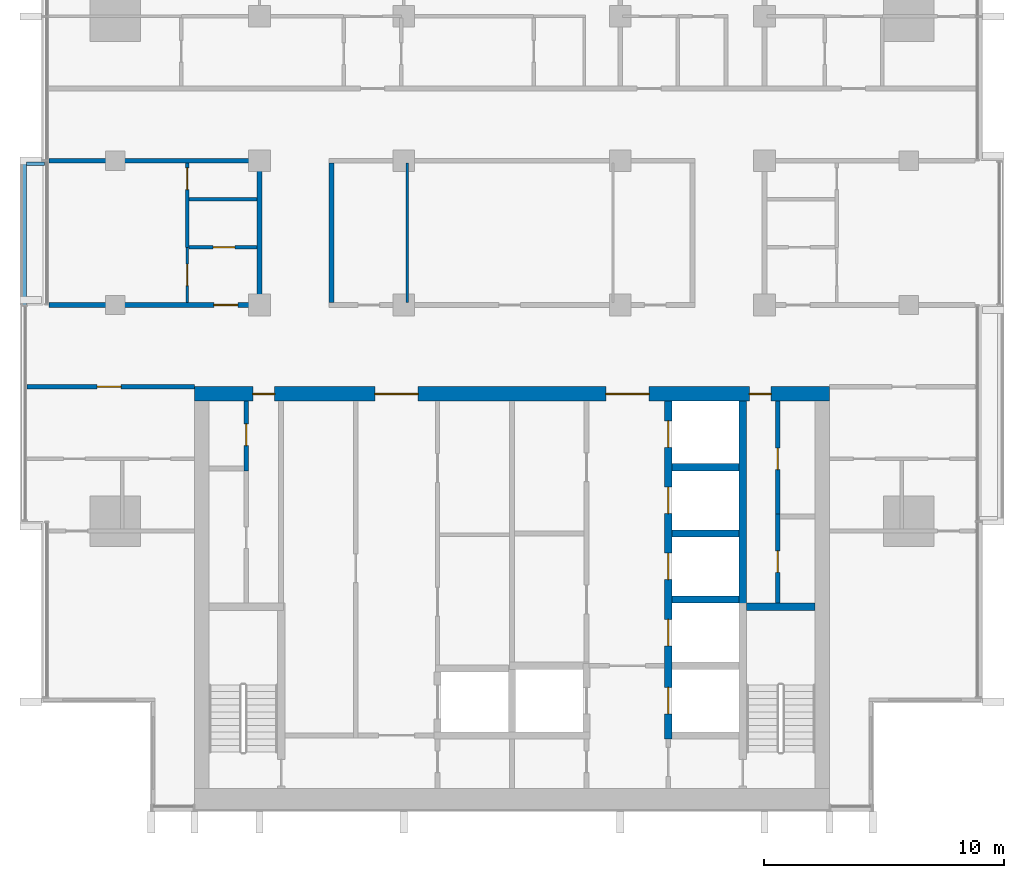
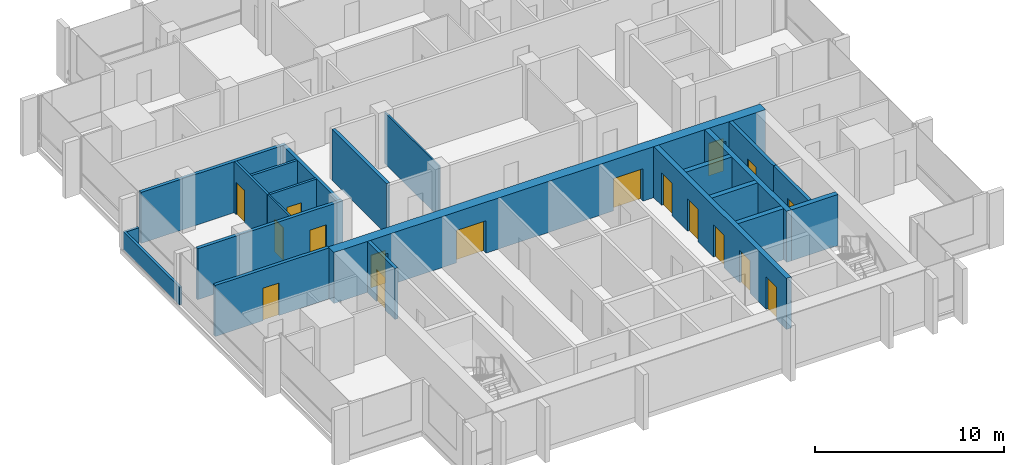
# One storey, part 8 of 16: 22 walls, 17 doors, 17 openings.
"""IFC4 building model written with IfcOpenShell, lengths in metres."""

from ifc_helpers import new_model, si_unit, direction, frame, frame_2d, origin, place, context, subcontext, project, spatial, rectangle, extrude, material, layer, layer_set, type_object, element, fill, save


model = new_model("IFC4")

# Units and contexts
model_context = context("Model", 3, precision=1e-05, world=origin(), true_north=direction((0.0, 1.0)))
body_context = subcontext(model_context, "Body", "Model", "MODEL_VIEW")
ifc_project = project(units=[si_unit("LENGTHUNIT", "METRE"), si_unit("AREAUNIT", "SQUARE_METRE"), si_unit("VOLUMEUNIT", "CUBIC_METRE"), si_unit("PLANEANGLEUNIT", "RADIAN"), si_unit("MASSUNIT", "GRAM", prefix="KILO")], contexts=[model_context])

# Site, building, storey
site_placement = place(None, origin())
site = spatial("IfcSite", under=ifc_project, at=site_placement, CompositionType="ELEMENT")
building_placement = place(site_placement, origin())
building = spatial("IfcBuilding", under=site, at=building_placement, Name="Finial Court Residences", CompositionType="ELEMENT")
storey_placement = place(building_placement, frame((0.0, 0.0, 241.10009765625)))
storey = spatial("IfcBuildingStorey", under=building, at=storey_placement, Name="L61", CompositionType="ELEMENT", Elevation=241.10009765625)

# Wall, openings, doors
ifc_material_1 = material(Name="Concrete C60/75", Category="concrete")
ifc_layer_1 = layer(ifc_material_1, 0.60009765625)
ifc_layer_set_1 = layer_set([ifc_layer_1], Name="Core outer wall 600 Concrete C60/75")
wall_type_1 = type_object("IfcWallType", Name="Core outer wall 600 Concrete C60/75", PredefinedType="SHEAR", material=ifc_layer_set_1)
wall_1_placement = place(storey_placement, frame((-13.199951171875, -8.199951171875, 0.0), z_axis=(0.0, 0.0, 1.0), x_axis=(1.0, 0.0, 0.0)))
wall_1 = element("IfcWall", 1, at=wall_1_placement, inside=storey, type_object=wall_type_1, Name="Core outer wall L61-02", PredefinedType="SHEAR", context=body_context, shape_type="SweptSolid", body=[
    extrude(rectangle(XDim=26.39990234375, YDim=0.60009765625, at=frame_2d((13.199951171875, 0.0))), origin(), (0.0, 0.0, 1.0), 3.2998046875),
])
opening_1_placement = place(wall_1_placement, frame((7.5, 0.0, 0.0)))
opening_1 = element("IfcOpeningElement", 2, at=opening_1_placement, cuts=wall_1, Name="Opening L61-C04", PredefinedType="OPENING", context=body_context, shape_type="SweptSolid", body=[
    extrude(rectangle(XDim=1.800048828125, YDim=2.10009765625, at=frame_2d((0.89990234375, 1.050048828125))), frame((0.0, 0.31005859375, 0.0), z_axis=(0.0, -1.0, 0.0), x_axis=(1.0, 0.0, 0.0)), (0.0, 0.0, 1.0), 0.6201171875),
])
opening_2_placement = place(wall_1_placement, frame((17.10009765625, 0.0, 0.0)))
opening_2 = element("IfcOpeningElement", 3, at=opening_2_placement, cuts=wall_1, Name="Opening L61-C05", PredefinedType="OPENING", context=body_context, shape_type="SweptSolid", body=[
    extrude(rectangle(XDim=1.800048828125, YDim=2.10009765625, at=frame_2d((0.89990234375, 1.050048828125))), frame((0.0, 0.31005859375, 0.0), z_axis=(0.0, -1.0, 0.0), x_axis=(1.0, 0.0, 0.0)), (0.0, 0.0, 1.0), 0.6201171875),
])
opening_3_placement = place(wall_1_placement, frame((2.425048828125, 0.0, 0.0)))
opening_3 = element("IfcOpeningElement", 4, at=opening_3_placement, cuts=wall_1, Name="Opening L61-C12", PredefinedType="OPENING", context=body_context, shape_type="SweptSolid", body=[
    extrude(rectangle(XDim=0.89990234375, YDim=2.10009765625, at=frame_2d((0.449951171875, 1.050048828125))), frame((0.0, 0.31005859375, 0.0), z_axis=(0.0, -1.0, 0.0), x_axis=(1.0, 0.0, 0.0)), (0.0, 0.0, 1.0), 0.6201171875),
])
opening_4_placement = place(wall_1_placement, frame((23.074951171875, 0.0, 0.0)))
opening_4 = element("IfcOpeningElement", 5, at=opening_4_placement, cuts=wall_1, Name="Opening L61-C13", PredefinedType="OPENING", context=body_context, shape_type="SweptSolid", body=[
    extrude(rectangle(XDim=0.89990234375, YDim=2.10009765625, at=frame_2d((0.449951171875, 1.050048828125))), frame((0.0, 0.31005859375, 0.0), z_axis=(0.0, -1.0, 0.0), x_axis=(1.0, 0.0, 0.0)), (0.0, 0.0, 1.0), 0.6201171875),
])
ifc_material_2 = material(Name="Steel fire door", Category="steel")
door_type_1 = type_object("IfcDoorType", Name="Lift lobby door 1800 x 2100 EI 60", OperationType="DOUBLE_DOOR_SINGLE_SWING", PredefinedType="DOOR", material=ifc_material_2)
door_1_placement = place(opening_1_placement, origin())
door_1 = element("IfcDoor", 6, at=door_1_placement, inside=storey, type_object=door_type_1, Name="Lift lobby door L61-C04", OperationType="DOUBLE_DOOR_SINGLE_SWING", OverallHeight=2.10009765625, OverallWidth=1.800048828125, PredefinedType="DOOR", context=body_context, shape_type="SweptSolid", body=[
    extrude(rectangle(XDim=1.800048828125, YDim=2.10009765625, at=frame_2d((0.89990234375, 1.050048828125))), frame((0.0, 0.02490234375, 0.0), z_axis=(0.0, -1.0, 0.0), x_axis=(1.0, 0.0, 0.0)), (0.0, 0.0, 1.0), 0.050048828125),
])
fill(opening_1, door_1)
door_2_placement = place(opening_2_placement, origin())
door_2 = element("IfcDoor", 7, at=door_2_placement, inside=storey, type_object=door_type_1, Name="Lift lobby door L61-C05", OperationType="DOUBLE_DOOR_SINGLE_SWING", OverallHeight=2.10009765625, OverallWidth=1.800048828125, PredefinedType="DOOR", context=body_context, shape_type="SweptSolid", body=[
    extrude(rectangle(XDim=1.800048828125, YDim=2.10009765625, at=frame_2d((0.89990234375, 1.050048828125))), frame((0.0, 0.02490234375, 0.0), z_axis=(0.0, -1.0, 0.0), x_axis=(1.0, 0.0, 0.0)), (0.0, 0.0, 1.0), 0.050048828125),
])
fill(opening_2, door_2)
door_type_2 = type_object("IfcDoorType", Name="Riser room door 900 x 2100 EI 90", OperationType="NOTDEFINED", PredefinedType="DOOR", material=ifc_material_2)
door_3_placement = place(opening_3_placement, origin())
door_3 = element("IfcDoor", 8, at=door_3_placement, inside=storey, type_object=door_type_2, Name="Riser room door L61-C12", OperationType="SINGLE_SWING_RIGHT", OverallHeight=2.10009765625, OverallWidth=0.89990234375, PredefinedType="DOOR", context=body_context, shape_type="SweptSolid", body=[
    extrude(rectangle(XDim=0.89990234375, YDim=2.10009765625, at=frame_2d((0.449951171875, 1.050048828125))), frame((0.0, 0.02490234375, 0.0), z_axis=(0.0, -1.0, 0.0), x_axis=(1.0, 0.0, 0.0)), (0.0, 0.0, 1.0), 0.050048828125),
])
fill(opening_3, door_3)
door_4_placement = place(opening_4_placement, origin())
door_4 = element("IfcDoor", 9, at=door_4_placement, inside=storey, type_object=door_type_2, Name="Riser room door L61-C13", OperationType="SINGLE_SWING_LEFT", OverallHeight=2.10009765625, OverallWidth=0.89990234375, PredefinedType="DOOR", context=body_context, shape_type="SweptSolid", body=[
    extrude(rectangle(XDim=0.89990234375, YDim=2.10009765625, at=frame_2d((0.449951171875, 1.050048828125))), frame((0.0, 0.02490234375, 0.0), z_axis=(0.0, -1.0, 0.0), x_axis=(1.0, 0.0, 0.0)), (0.0, 0.0, 1.0), 0.050048828125),
])
fill(opening_4, door_4)

# Wall, opening, door
ifc_material_3 = material(Name="Gypsum board")
ifc_layer_2 = layer(ifc_material_3, 0.02490234375)
ifc_material_4 = material(Name="Acoustic mineral wool in double frame")
ifc_layer_3 = layer(ifc_material_4, 0.14990234375)
ifc_layer_4 = layer(ifc_material_3, 0.02490234375)
ifc_layer_set_2 = layer_set([ifc_layer_2, ifc_layer_3, ifc_layer_4], Name="Corridor wall 200, 1 hour")
wall_type_2 = type_object("IfcWallType", Name="Corridor wall 200, 1 hour", PredefinedType="PARTITIONING", material=ifc_layer_set_2)
wall_2_placement = place(storey_placement, frame((-20.16259765625, -7.89990234375, 0.0), z_axis=(0.0, 0.0, 1.0), x_axis=(1.0, 0.0, 0.0)))
wall_2 = element("IfcWall", 10, at=wall_2_placement, inside=storey, type_object=wall_type_2, Name="Partition L61-004", PredefinedType="PARTITIONING", context=body_context, shape_type="SweptSolid", body=[
    extrude(rectangle(XDim=6.962646484375, YDim=0.199951171875, at=frame_2d((3.4814453125, 0.0))), origin(), (0.0, 0.0, 1.0), 3.2998046875),
])
opening_5_placement = place(wall_2_placement, frame((2.9130859375, 0.0, 0.0)))
opening_5 = element("IfcOpeningElement", 11, at=opening_5_placement, cuts=wall_2, Name="Opening L61-D007", PredefinedType="OPENING", context=body_context, shape_type="SweptSolid", body=[
    extrude(rectangle(XDim=1.0, YDim=2.10009765625, at=frame_2d((0.5, 1.050048828125))), frame((0.0, 0.10986328125, 0.0), z_axis=(0.0, -1.0, 0.0), x_axis=(1.0, 0.0, 0.0)), (0.0, 0.0, 1.0), 0.219970703125),
])
ifc_material_5 = material(Name="Timber door leaf in hollow metal frame", Category="wood")
door_type_3 = type_object("IfcDoorType", Name="Fire door set 1000 x 2100, 30 minutes", OperationType="SINGLE_SWING_LEFT", PredefinedType="DOOR", material=ifc_material_5)
door_5_placement = place(opening_5_placement, origin())
door_5 = element("IfcDoor", 12, at=door_5_placement, inside=storey, type_object=door_type_3, Name="Door L61-D007", OperationType="SINGLE_SWING_RIGHT", OverallHeight=2.10009765625, OverallWidth=1.0, PredefinedType="DOOR", context=body_context, shape_type="SweptSolid", body=[
    extrude(rectangle(XDim=1.0, YDim=2.10009765625, at=frame_2d((0.5, 1.050048828125))), frame((0.0, 0.02490234375, 0.0), z_axis=(0.0, -1.0, 0.0), x_axis=(1.0, 0.0, 0.0)), (0.0, 0.0, 1.0), 0.050048828125),
])
fill(opening_5, door_5)

wall_3_placement = place(storey_placement, frame((-19.262451171875, -4.5, 0.0), z_axis=(0.0, 0.0, 1.0), x_axis=(1.0, 0.0, 0.0)))
wall_3 = element("IfcWall", 13, at=wall_3_placement, inside=storey, type_object=wall_type_2, Name="Partition L61-006", PredefinedType="PARTITIONING", context=body_context, shape_type="SweptSolid", body=[
    extrude(rectangle(XDim=8.862548828125, YDim=0.199951171875, at=frame_2d((4.43115234375, 0.0))), origin(), (0.0, 0.0, 1.0), 3.2998046875),
])
opening_6_placement = place(wall_3_placement, frame((6.862060546875, 0.0, 0.0)))
opening_6 = element("IfcOpeningElement", 14, at=opening_6_placement, cuts=wall_3, Name="Opening L61-D009", PredefinedType="OPENING", context=body_context, shape_type="SweptSolid", body=[
    extrude(rectangle(XDim=1.0, YDim=2.10009765625, at=frame_2d((0.5, 1.050048828125))), frame((0.0, 0.10986328125, 0.0), z_axis=(0.0, -1.0, 0.0), x_axis=(1.0, 0.0, 0.0)), (0.0, 0.0, 1.0), 0.219970703125),
])
door_6_placement = place(opening_6_placement, origin())
door_6 = element("IfcDoor", 15, at=door_6_placement, inside=storey, type_object=door_type_3, Name="Door L61-D009", OperationType="SINGLE_SWING_LEFT", OverallHeight=2.10009765625, OverallWidth=1.0, PredefinedType="DOOR", context=body_context, shape_type="SweptSolid", body=[
    extrude(rectangle(XDim=1.0, YDim=2.10009765625, at=frame_2d((0.5, 1.050048828125))), frame((0.0, 0.02490234375, 0.0), z_axis=(0.0, -1.0, 0.0), x_axis=(1.0, 0.0, 0.0)), (0.0, 0.0, 1.0), 0.050048828125),
])
fill(opening_6, door_6)

# Walls
wall_4_placement = place(storey_placement, frame((-19.262451171875, 1.5, 0.0), z_axis=(0.0, 0.0, 1.0), x_axis=(1.0, 0.0, 0.0)))
element("IfcWall", 16, at=wall_4_placement, inside=storey, type_object=wall_type_2, Name="Partition L61-013", PredefinedType="PARTITIONING", context=body_context, shape_type="SweptSolid", body=[
    extrude(rectangle(XDim=8.862548828125, YDim=0.199951171875, at=frame_2d((4.43115234375, 0.0))), origin(), (0.0, 0.0, 1.0), 3.2998046875),
])
for number, where, z_axis, x_axis, name in (
    (17, (-10.5, -4.39990234375, 0.0), (0.0, 0.0, 1.0), (0.0, 1.0, 0.0), "Partition L61-033"),
    (18, (-7.5, -4.39990234375, 0.0), (0.0, 0.0, 1.0), (0.0, 1.0, 0.0), "Partition L61-035"),
):
    element("IfcWall", number, at=place(storey_placement, frame(where, z_axis=z_axis, x_axis=x_axis)), inside=storey, type_object=wall_type_2, Name=name, PredefinedType="PARTITIONING", context=body_context, shape_type="SweptSolid", body=[
        extrude(rectangle(XDim=5.7998046875, YDim=0.199951171875, at=frame_2d((2.89990234375, 0.0))), origin(), (0.0, 0.0, 1.0), 3.2998046875),
    ])

# Wall, opening, door
ifc_layer_5 = layer(ifc_material_3, 0.012451171875)
ifc_material_6 = material(Name="Mineral wool in light-gauge frame")
ifc_layer_6 = layer(ifc_material_6, 0.074951171875)
ifc_layer_7 = layer(ifc_material_3, 0.012451171875)
ifc_layer_set_3 = layer_set([ifc_layer_5, ifc_layer_6, ifc_layer_7], Name="Gypsum board partition 100")
wall_type_3 = type_object("IfcWallType", Name="Gypsum board partition 100", PredefinedType="PARTITIONING", material=ifc_layer_set_3)
wall_5_placement = place(storey_placement, frame((-13.5, -4.39990234375, 0.0), z_axis=(0.0, 0.0, 1.0), x_axis=(0.0, 1.0, 0.0)))
wall_5 = element("IfcWall", 19, at=wall_5_placement, inside=storey, type_object=wall_type_3, Name="Partition L61-031", PredefinedType="PARTITIONING", context=body_context, shape_type="SweptSolid", body=[
    extrude(rectangle(XDim=2.2998046875, YDim=0.10009765625, at=frame_2d((1.14990234375, 0.0))), origin(), (0.0, 0.0, 1.0), 3.2998046875),
])
opening_7_placement = place(wall_5_placement, frame((0.699951171875, 0.0, 0.0)))
opening_7 = element("IfcOpeningElement", 20, at=opening_7_placement, cuts=wall_5, Name="Opening L61-D027", PredefinedType="OPENING", context=body_context, shape_type="SweptSolid", body=[
    extrude(rectangle(XDim=0.89990234375, YDim=2.10009765625, at=frame_2d((0.449951171875, 1.050048828125))), frame((0.0, 0.06005859375, 0.0), z_axis=(0.0, -1.0, 0.0), x_axis=(1.0, 0.0, 0.0)), (0.0, 0.0, 1.0), 0.1201171875),
])
ifc_material_7 = material(Name="Timber door leaf in timber frame", Category="wood")
door_type_4 = type_object("IfcDoorType", Name="Door set 900 x 2100", OperationType="SINGLE_SWING_LEFT", PredefinedType="DOOR", material=ifc_material_7)
door_7_placement = place(opening_7_placement, origin())
door_7 = element("IfcDoor", 21, at=door_7_placement, inside=storey, type_object=door_type_4, Name="Door L61-D027", OperationType="SINGLE_SWING_LEFT", OverallHeight=2.10009765625, OverallWidth=0.89990234375, PredefinedType="DOOR", context=body_context, shape_type="SweptSolid", body=[
    extrude(rectangle(XDim=0.89990234375, YDim=2.10009765625, at=frame_2d((0.449951171875, 1.050048828125))), frame((0.0, 0.02490234375, 0.0), z_axis=(0.0, -1.0, 0.0), x_axis=(1.0, 0.0, 0.0)), (0.0, 0.0, 1.0), 0.050048828125),
])
fill(opening_7, door_7)

# Wall
wall_6_placement = place(storey_placement, frame((-4.35009765625, -4.39990234375, 0.0), z_axis=(0.0, 0.0, 1.0), x_axis=(0.0, 1.0, 0.0)))
element("IfcWall", 22, at=wall_6_placement, inside=storey, type_object=wall_type_3, Name="Partition L61-039", PredefinedType="PARTITIONING", context=body_context, shape_type="SweptSolid", body=[
    extrude(rectangle(XDim=5.7998046875, YDim=0.10009765625, at=frame_2d((2.89990234375, 0.0))), origin(), (0.0, 0.0, 1.0), 3.2998046875),
])

# Wall, opening, door
ifc_material_8 = material(Name="Moisture-resistant gypsum board")
ifc_layer_8 = layer(ifc_material_8, 0.012451171875)
ifc_layer_9 = layer(ifc_material_6, 0.125)
ifc_layer_10 = layer(ifc_material_8, 0.012451171875)
ifc_layer_set_4 = layer_set([ifc_layer_8, ifc_layer_9, ifc_layer_10], Name="Gypsum board wet-area partition 150")
wall_type_4 = type_object("IfcWallType", Name="Gypsum board wet-area partition 150", PredefinedType="PARTITIONING", material=ifc_layer_set_4)
wall_7_placement = place(storey_placement, frame((-13.425048828125, -2.10009765625, 0.0), z_axis=(0.0, 0.0, 1.0), x_axis=(1.0, 0.0, 0.0)))
wall_7 = element("IfcWall", 23, at=wall_7_placement, inside=storey, type_object=wall_type_4, Name="Partition L61-009", PredefinedType="PARTITIONING", context=body_context, shape_type="SweptSolid", body=[
    extrude(rectangle(XDim=2.824951171875, YDim=0.14990234375, at=frame_2d((1.41259765625, 0.0))), origin(), (0.0, 0.0, 1.0), 3.2998046875),
])
opening_8_placement = place(wall_7_placement, frame((1.0, 0.0, 0.0)))
opening_8 = element("IfcOpeningElement", 24, at=opening_8_placement, cuts=wall_7, Name="Opening L61-D014", PredefinedType="OPENING", context=body_context, shape_type="SweptSolid", body=[
    extrude(rectangle(XDim=0.89990234375, YDim=2.10009765625, at=frame_2d((0.449951171875, 1.050048828125))), frame((0.0, 0.0849609375, 0.0), z_axis=(0.0, -1.0, 0.0), x_axis=(1.0, 0.0, 0.0)), (0.0, 0.0, 1.0), 0.169921875),
])
door_8_placement = place(opening_8_placement, origin())
door_8 = element("IfcDoor", 25, at=door_8_placement, inside=storey, type_object=door_type_4, Name="Door L61-D014", OperationType="SINGLE_SWING_LEFT", OverallHeight=2.10009765625, OverallWidth=0.89990234375, PredefinedType="DOOR", context=body_context, shape_type="SweptSolid", body=[
    extrude(rectangle(XDim=0.89990234375, YDim=2.10009765625, at=frame_2d((0.449951171875, 1.050048828125))), frame((0.0, 0.02490234375, 0.0), z_axis=(0.0, -1.0, 0.0), x_axis=(1.0, 0.0, 0.0)), (0.0, 0.0, 1.0), 0.050048828125),
])
fill(opening_8, door_8)

# Wall
wall_8_placement = place(storey_placement, frame((-13.425048828125, -0.10009765625, 0.0), z_axis=(0.0, 0.0, 1.0), x_axis=(1.0, 0.0, 0.0)))
element("IfcWall", 26, at=wall_8_placement, inside=storey, type_object=wall_type_4, Name="Partition L61-011", PredefinedType="PARTITIONING", context=body_context, shape_type="SweptSolid", body=[
    extrude(rectangle(XDim=2.824951171875, YDim=0.14990234375, at=frame_2d((1.41259765625, 0.0))), origin(), (0.0, 0.0, 1.0), 3.2998046875),
])

# Wall, opening, door
wall_9_placement = place(storey_placement, frame((-13.5, -2.10009765625, 0.0), z_axis=(0.0, 0.0, 1.0), x_axis=(0.0, 1.0, 0.0)))
wall_9 = element("IfcWall", 27, at=wall_9_placement, inside=storey, type_object=wall_type_4, Name="Partition L61-032", PredefinedType="PARTITIONING", context=body_context, shape_type="SweptSolid", body=[
    extrude(rectangle(XDim=3.5, YDim=0.14990234375, at=frame_2d((1.75, 0.0))), origin(), (0.0, 0.0, 1.0), 3.2998046875),
])
opening_9_placement = place(wall_9_placement, frame((2.39990234375, 0.0, 0.0)))
opening_9 = element("IfcOpeningElement", 28, at=opening_9_placement, cuts=wall_9, Name="Opening L61-D028", PredefinedType="OPENING", context=body_context, shape_type="SweptSolid", body=[
    extrude(rectangle(XDim=0.89990234375, YDim=2.10009765625, at=frame_2d((0.449951171875, 1.050048828125))), frame((0.0, 0.0849609375, 0.0), z_axis=(0.0, -1.0, 0.0), x_axis=(1.0, 0.0, 0.0)), (0.0, 0.0, 1.0), 0.169921875),
])
door_9_placement = place(opening_9_placement, origin())
door_9 = element("IfcDoor", 29, at=door_9_placement, inside=storey, type_object=door_type_4, Name="Door L61-D028", OperationType="SINGLE_SWING_RIGHT", OverallHeight=2.10009765625, OverallWidth=0.89990234375, PredefinedType="DOOR", context=body_context, shape_type="SweptSolid", body=[
    extrude(rectangle(XDim=0.89990234375, YDim=2.10009765625, at=frame_2d((0.449951171875, 1.050048828125))), frame((0.0, 0.02490234375, 0.0), z_axis=(0.0, -1.0, 0.0), x_axis=(1.0, 0.0, 0.0)), (0.0, 0.0, 1.0), 0.050048828125),
])
fill(opening_9, door_9)

# Walls
ifc_material_9 = material(Name="Concrete C35/45", Category="concrete")
ifc_layer_11 = layer(ifc_material_9, 0.14990234375)
ifc_layer_set_5 = layer_set([ifc_layer_11], Name="Ledge parapet, Concrete C35/45 150")
wall_type_5 = type_object("IfcWallType", Name="Ledge parapet, Concrete C35/45 150", PredefinedType="PARAPET", material=ifc_layer_set_5)
wall_10_placement = place(storey_placement, frame((-20.27490234375, -4.552490234375, 0.0), z_axis=(0.0, 0.0, 1.0), x_axis=(0.0, 1.0, 0.0)))
element("IfcWall", 30, at=wall_10_placement, inside=storey, type_object=wall_type_5, Name="E-L61-LED1-P1", PredefinedType="PARAPET", context=body_context, shape_type="SweptSolid", body=[
    extrude(rectangle(XDim=6.00244140625, YDim=0.14990234375, at=frame_2d((3.001220703125, 0.0))), origin(), (0.0, 0.0, 1.0), 1.14990234375),
])
wall_11_placement = place(storey_placement, frame((-20.199951171875, 1.375, 0.0), z_axis=(0.0, 0.0, 1.0), x_axis=(1.0, 0.0, 0.0)))
element("IfcWall", 31, at=wall_11_placement, inside=storey, type_object=wall_type_5, Name="E-L61-LED1-P2", PredefinedType="PARAPET", context=body_context, shape_type="SweptSolid", body=[
    extrude(rectangle(XDim=0.75244140625, YDim=0.14990234375, at=frame_2d((0.376220703125, 0.0))), origin(), (0.0, 0.0, 1.0), 1.14990234375),
])
ifc_layer_12 = layer(ifc_material_1, 0.300048828125)
ifc_layer_set_6 = layer_set([ifc_layer_12], Name="Lift shaft and stair wall 300 Concrete C60/75")
wall_type_6 = type_object("IfcWallType", Name="Lift shaft and stair wall 300 Concrete C60/75", PredefinedType="SHEAR", material=ifc_layer_set_6)
wall_12_placement = place(storey_placement, frame((9.75, -17.050048828125, 0.0), z_axis=(0.0, 0.0, 1.0), x_axis=(1.0, 0.0, 0.0)))
element("IfcWall", 32, at=wall_12_placement, inside=storey, type_object=wall_type_6, Name="Core wall L61-10", PredefinedType="SHEAR", context=body_context, shape_type="SweptSolid", body=[
    extrude(rectangle(XDim=2.85009765625, YDim=0.300048828125, at=frame_2d((1.425048828125, 0.0))), origin(), (0.0, 0.0, 1.0), 3.2998046875),
])
for number, where, z_axis, x_axis, name in (
    (33, (6.64990234375, -16.75, 0.0), (0.0, 0.0, 1.0), (1.0, 0.0, 0.0), "Core wall L61-11"),
    (34, (6.64990234375, -14.0, 0.0), (0.0, 0.0, 1.0), (1.0, 0.0, 0.0), "Core wall L61-14"),
    (35, (6.64990234375, -11.25, 0.0), (0.0, 0.0, 1.0), (1.0, 0.0, 0.0), "Core wall L61-17"),
):
    element("IfcWall", number, at=place(storey_placement, frame(where, z_axis=z_axis, x_axis=x_axis)), inside=storey, type_object=wall_type_6, Name=name, PredefinedType="SHEAR", context=body_context, shape_type="SweptSolid", body=[
        extrude(rectangle(XDim=2.800048828125, YDim=0.300048828125, at=frame_2d((1.39990234375, 0.0))), origin(), (0.0, 0.0, 1.0), 3.2998046875),
    ])

# Wall, openings, doors
wall_13_placement = place(storey_placement, frame((6.5, -22.550048828125, 0.0), z_axis=(0.0, 0.0, 1.0), x_axis=(0.0, 1.0, 0.0)))
wall_13 = element("IfcWall", 36, at=wall_13_placement, inside=storey, type_object=wall_type_6, Name="Core wall L61-33", PredefinedType="SHEAR", context=body_context, shape_type="SweptSolid", body=[
    extrude(rectangle(XDim=14.050048828125, YDim=0.300048828125, at=frame_2d((7.02490234375, 0.0))), origin(), (0.0, 0.0, 1.0), 3.2998046875),
])
opening_10_placement = place(wall_13_placement, frame((1.050048828125, 0.0, 0.0)))
opening_10 = element("IfcOpeningElement", 37, at=opening_10_placement, cuts=wall_13, Name="Opening L61-LD02", PredefinedType="OPENING", context=body_context, shape_type="SweptSolid", body=[
    extrude(rectangle(XDim=1.10009765625, YDim=2.10009765625, at=frame_2d((0.550048828125, 1.050048828125))), frame((0.0, 0.159912109375, 0.0), z_axis=(0.0, -1.0, 0.0), x_axis=(1.0, 0.0, 0.0)), (0.0, 0.0, 1.0), 0.320068359375),
])
opening_11_placement = place(wall_13_placement, frame((3.875, 0.0, 0.0)))
opening_11 = element("IfcOpeningElement", 38, at=opening_11_placement, cuts=wall_13, Name="Opening L61-LD03", PredefinedType="OPENING", context=body_context, shape_type="SweptSolid", body=[
    extrude(rectangle(XDim=1.10009765625, YDim=2.10009765625, at=frame_2d((0.550048828125, 1.050048828125))), frame((0.0, 0.159912109375, 0.0), z_axis=(0.0, -1.0, 0.0), x_axis=(1.0, 0.0, 0.0)), (0.0, 0.0, 1.0), 0.320068359375),
])
opening_12_placement = place(wall_13_placement, frame((6.625, 0.0, 0.0)))
opening_12 = element("IfcOpeningElement", 39, at=opening_12_placement, cuts=wall_13, Name="Opening L61-LD04", PredefinedType="OPENING", context=body_context, shape_type="SweptSolid", body=[
    extrude(rectangle(XDim=1.10009765625, YDim=2.10009765625, at=frame_2d((0.550048828125, 1.050048828125))), frame((0.0, 0.159912109375, 0.0), z_axis=(0.0, -1.0, 0.0), x_axis=(1.0, 0.0, 0.0)), (0.0, 0.0, 1.0), 0.320068359375),
])
opening_13_placement = place(wall_13_placement, frame((9.375, 0.0, 0.0)))
opening_13 = element("IfcOpeningElement", 40, at=opening_13_placement, cuts=wall_13, Name="Opening L61-LD05", PredefinedType="OPENING", context=body_context, shape_type="SweptSolid", body=[
    extrude(rectangle(XDim=1.10009765625, YDim=2.10009765625, at=frame_2d((0.550048828125, 1.050048828125))), frame((0.0, 0.159912109375, 0.0), z_axis=(0.0, -1.0, 0.0), x_axis=(1.0, 0.0, 0.0)), (0.0, 0.0, 1.0), 0.320068359375),
])
opening_14_placement = place(wall_13_placement, frame((12.125, 0.0, 0.0)))
opening_14 = element("IfcOpeningElement", 41, at=opening_14_placement, cuts=wall_13, Name="Opening L61-LD06", PredefinedType="OPENING", context=body_context, shape_type="SweptSolid", body=[
    extrude(rectangle(XDim=1.10009765625, YDim=2.10009765625, at=frame_2d((0.550048828125, 1.050048828125))), frame((0.0, 0.159912109375, 0.0), z_axis=(0.0, -1.0, 0.0), x_axis=(1.0, 0.0, 0.0)), (0.0, 0.0, 1.0), 0.320068359375),
])
ifc_material_10 = material(Name="Stainless steel lift door", Category="steel")
door_type_5 = type_object("IfcDoorType", Name="Lift landing door 1100 x 2100 EI 90", OperationType="DOUBLE_DOOR_SLIDING", PredefinedType="DOOR", material=ifc_material_10)
door_10_placement = place(opening_10_placement, origin())
door_10 = element("IfcDoor", 42, at=door_10_placement, inside=storey, type_object=door_type_5, Name="Lift landing door FF2 L61", OperationType="DOUBLE_DOOR_SLIDING", OverallHeight=2.10009765625, OverallWidth=1.10009765625, PredefinedType="DOOR", context=body_context, shape_type="SweptSolid", body=[
    extrude(rectangle(XDim=1.10009765625, YDim=2.10009765625, at=frame_2d((0.550048828125, 1.050048828125))), frame((0.0, 0.02490234375, 0.0), z_axis=(0.0, -1.0, 0.0), x_axis=(1.0, 0.0, 0.0)), (0.0, 0.0, 1.0), 0.050048828125),
])
fill(opening_10, door_10)
door_11_placement = place(opening_11_placement, origin())
door_11 = element("IfcDoor", 43, at=door_11_placement, inside=storey, type_object=door_type_5, Name="Lift landing door HR5 L61", OperationType="DOUBLE_DOOR_SLIDING", OverallHeight=2.10009765625, OverallWidth=1.10009765625, PredefinedType="DOOR", context=body_context, shape_type="SweptSolid", body=[
    extrude(rectangle(XDim=1.10009765625, YDim=2.10009765625, at=frame_2d((0.550048828125, 1.050048828125))), frame((0.0, 0.02490234375, 0.0), z_axis=(0.0, -1.0, 0.0), x_axis=(1.0, 0.0, 0.0)), (0.0, 0.0, 1.0), 0.050048828125),
])
fill(opening_11, door_11)
door_12_placement = place(opening_12_placement, origin())
door_12 = element("IfcDoor", 44, at=door_12_placement, inside=storey, type_object=door_type_5, Name="Lift landing door HR6 L61", OperationType="DOUBLE_DOOR_SLIDING", OverallHeight=2.10009765625, OverallWidth=1.10009765625, PredefinedType="DOOR", context=body_context, shape_type="SweptSolid", body=[
    extrude(rectangle(XDim=1.10009765625, YDim=2.10009765625, at=frame_2d((0.550048828125, 1.050048828125))), frame((0.0, 0.02490234375, 0.0), z_axis=(0.0, -1.0, 0.0), x_axis=(1.0, 0.0, 0.0)), (0.0, 0.0, 1.0), 0.050048828125),
])
fill(opening_12, door_12)
door_13_placement = place(opening_13_placement, origin())
door_13 = element("IfcDoor", 45, at=door_13_placement, inside=storey, type_object=door_type_5, Name="Lift landing door HR7 L61", OperationType="DOUBLE_DOOR_SLIDING", OverallHeight=2.10009765625, OverallWidth=1.10009765625, PredefinedType="DOOR", context=body_context, shape_type="SweptSolid", body=[
    extrude(rectangle(XDim=1.10009765625, YDim=2.10009765625, at=frame_2d((0.550048828125, 1.050048828125))), frame((0.0, 0.02490234375, 0.0), z_axis=(0.0, -1.0, 0.0), x_axis=(1.0, 0.0, 0.0)), (0.0, 0.0, 1.0), 0.050048828125),
])
fill(opening_13, door_13)
door_14_placement = place(opening_14_placement, origin())
door_14 = element("IfcDoor", 46, at=door_14_placement, inside=storey, type_object=door_type_5, Name="Lift landing door HR8 L61", OperationType="DOUBLE_DOOR_SLIDING", OverallHeight=2.10009765625, OverallWidth=1.10009765625, PredefinedType="DOOR", context=body_context, shape_type="SweptSolid", body=[
    extrude(rectangle(XDim=1.10009765625, YDim=2.10009765625, at=frame_2d((0.550048828125, 1.050048828125))), frame((0.0, 0.02490234375, 0.0), z_axis=(0.0, -1.0, 0.0), x_axis=(1.0, 0.0, 0.0)), (0.0, 0.0, 1.0), 0.050048828125),
])
fill(opening_14, door_14)

# Wall
wall_14_placement = place(storey_placement, frame((9.60009765625, -17.199951171875, 0.0), z_axis=(0.0, 0.0, 1.0), x_axis=(0.0, 1.0, 0.0)))
element("IfcWall", 47, at=wall_14_placement, inside=storey, type_object=wall_type_6, Name="Core wall L61-35", PredefinedType="SHEAR", context=body_context, shape_type="SweptSolid", body=[
    extrude(rectangle(XDim=8.699951171875, YDim=0.300048828125, at=frame_2d((4.35009765625, 0.0))), origin(), (0.0, 0.0, 1.0), 3.2998046875),
])

# Wall, opening, door
ifc_material_11 = material(Name="Fire-rated gypsum board partition")
ifc_layer_13 = layer(ifc_material_11, 0.199951171875)
ifc_layer_set_7 = layer_set([ifc_layer_13], Name="Riser room wall 200 EI 120")
wall_type_7 = type_object("IfcWallType", Name="Riser room wall 200 EI 120", PredefinedType="PARTITIONING", material=ifc_layer_set_7)
wall_15_placement = place(storey_placement, frame((-11.050048828125, -11.39990234375, 0.0), z_axis=(0.0, 0.0, 1.0), x_axis=(0.0, 1.0, 0.0)))
wall_15 = element("IfcWall", 48, at=wall_15_placement, inside=storey, type_object=wall_type_7, Name="Core partition L61-19", PredefinedType="PARTITIONING", context=body_context, shape_type="SweptSolid", body=[
    extrude(rectangle(XDim=2.89990234375, YDim=0.199951171875, at=frame_2d((1.449951171875, 0.0))), origin(), (0.0, 0.0, 1.0), 3.2998046875),
])
opening_15_placement = place(wall_15_placement, frame((1.050048828125, 0.0, 0.0)))
opening_15 = element("IfcOpeningElement", 49, at=opening_15_placement, cuts=wall_15, Name="Opening L61-C07", PredefinedType="OPENING", context=body_context, shape_type="SweptSolid", body=[
    extrude(rectangle(XDim=0.89990234375, YDim=2.10009765625, at=frame_2d((0.449951171875, 1.050048828125))), frame((0.0, 0.10986328125, 0.0), z_axis=(0.0, -1.0, 0.0), x_axis=(1.0, 0.0, 0.0)), (0.0, 0.0, 1.0), 0.219970703125),
])
door_15_placement = place(opening_15_placement, origin())
door_15 = element("IfcDoor", 50, at=door_15_placement, inside=storey, type_object=door_type_2, Name="Riser room door L61-C07", OperationType="SINGLE_SWING_LEFT", OverallHeight=2.10009765625, OverallWidth=0.89990234375, PredefinedType="DOOR", context=body_context, shape_type="SweptSolid", body=[
    extrude(rectangle(XDim=0.89990234375, YDim=2.10009765625, at=frame_2d((0.449951171875, 1.050048828125))), frame((0.0, 0.02490234375, 0.0), z_axis=(0.0, -1.0, 0.0), x_axis=(1.0, 0.0, 0.0)), (0.0, 0.0, 1.0), 0.050048828125),
])
fill(opening_15, door_15)

wall_16_placement = place(storey_placement, frame((11.050048828125, -8.5, 0.0), z_axis=(0.0, 0.0, 1.0), x_axis=(0.0, -1.0, 0.0)))
wall_16 = element("IfcWall", 51, at=wall_16_placement, inside=storey, type_object=wall_type_7, Name="Core partition L61-37", PredefinedType="PARTITIONING", context=body_context, shape_type="SweptSolid", body=[
    extrude(rectangle(XDim=4.89990234375, YDim=0.199951171875, at=frame_2d((2.449951171875, 0.0))), origin(), (0.0, 0.0, 1.0), 3.2998046875),
])
opening_16_placement = place(wall_16_placement, frame((1.949951171875, 0.0, 0.0)))
opening_16 = element("IfcOpeningElement", 52, at=opening_16_placement, cuts=wall_16, Name="Opening L61-C08", PredefinedType="OPENING", context=body_context, shape_type="SweptSolid", body=[
    extrude(rectangle(XDim=0.89990234375, YDim=2.10009765625, at=frame_2d((0.449951171875, 1.050048828125))), frame((0.0, 0.10986328125, 0.0), z_axis=(0.0, -1.0, 0.0), x_axis=(1.0, 0.0, 0.0)), (0.0, 0.0, 1.0), 0.219970703125),
])
door_16_placement = place(opening_16_placement, origin())
door_16 = element("IfcDoor", 53, at=door_16_placement, inside=storey, type_object=door_type_2, Name="Riser room door L61-C08", OperationType="SINGLE_SWING_RIGHT", OverallHeight=2.10009765625, OverallWidth=0.89990234375, PredefinedType="DOOR", context=body_context, shape_type="SweptSolid", body=[
    extrude(rectangle(XDim=0.89990234375, YDim=2.10009765625, at=frame_2d((0.449951171875, 1.050048828125))), frame((0.0, 0.02490234375, 0.0), z_axis=(0.0, -1.0, 0.0), x_axis=(1.0, 0.0, 0.0)), (0.0, 0.0, 1.0), 0.050048828125),
])
fill(opening_16, door_16)

ifc_layer_14 = layer(ifc_material_11, 0.199951171875)
ifc_layer_set_8 = layer_set([ifc_layer_14], Name="Stair passage wall 200 EI 180")
wall_type_8 = type_object("IfcWallType", Name="Stair passage wall 200 EI 180", PredefinedType="PARTITIONING", material=ifc_layer_set_8)
wall_17_placement = place(storey_placement, frame((11.050048828125, -13.199951171875, 0.0), z_axis=(0.0, 0.0, 1.0), x_axis=(0.0, -1.0, 0.0)))
wall_17 = element("IfcWall", 54, at=wall_17_placement, inside=storey, type_object=wall_type_8, Name="Core partition L61-36", PredefinedType="PARTITIONING", context=body_context, shape_type="SweptSolid", body=[
    extrude(rectangle(XDim=3.699951171875, YDim=0.199951171875, at=frame_2d((1.85009765625, 0.0))), origin(), (0.0, 0.0, 1.0), 3.2998046875),
])
opening_17_placement = place(wall_17_placement, frame((1.52490234375, 0.0, 0.0)))
opening_17 = element("IfcOpeningElement", 55, at=opening_17_placement, cuts=wall_17, Name="Opening L61-C16", PredefinedType="OPENING", context=body_context, shape_type="SweptSolid", body=[
    extrude(rectangle(XDim=0.89990234375, YDim=2.10009765625, at=frame_2d((0.449951171875, 1.050048828125))), frame((0.0, 0.10986328125, 0.0), z_axis=(0.0, -1.0, 0.0), x_axis=(1.0, 0.0, 0.0)), (0.0, 0.0, 1.0), 0.219970703125),
])
door_type_6 = type_object("IfcDoorType", Name="Core room door 900 x 2100 EI 60", OperationType="NOTDEFINED", PredefinedType="DOOR", material=ifc_material_2)
door_17_placement = place(opening_17_placement, origin())
door_17 = element("IfcDoor", 56, at=door_17_placement, inside=storey, type_object=door_type_6, Name="Core room door L61-C16", OperationType="SINGLE_SWING_RIGHT", OverallHeight=2.10009765625, OverallWidth=0.89990234375, PredefinedType="DOOR", context=body_context, shape_type="SweptSolid", body=[
    extrude(rectangle(XDim=0.89990234375, YDim=2.10009765625, at=frame_2d((0.449951171875, 1.050048828125))), frame((0.0, 0.02490234375, 0.0), z_axis=(0.0, -1.0, 0.0), x_axis=(1.0, 0.0, 0.0)), (0.0, 0.0, 1.0), 0.050048828125),
])
fill(opening_17, door_17)

save(model, "model.ifc")
